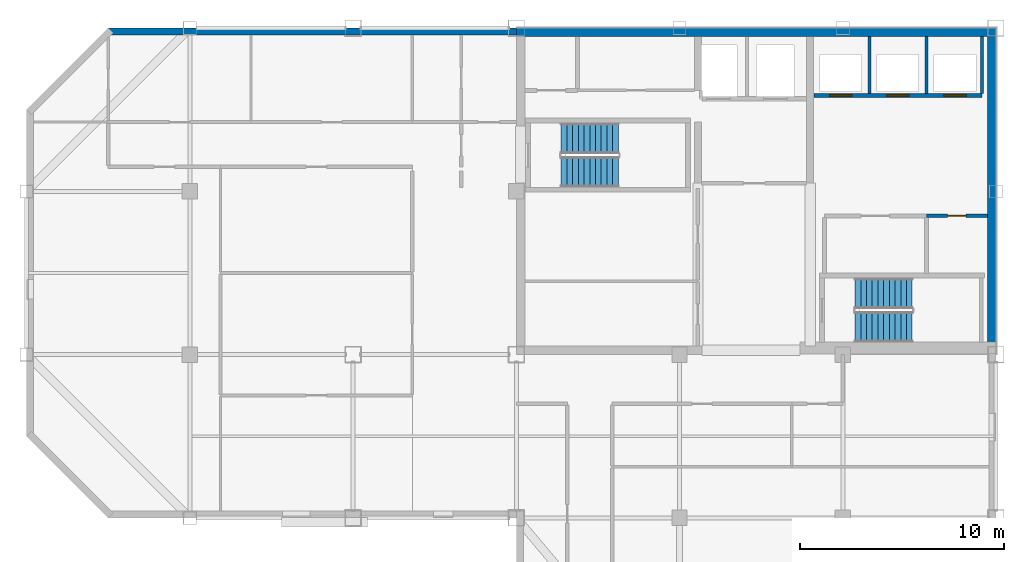
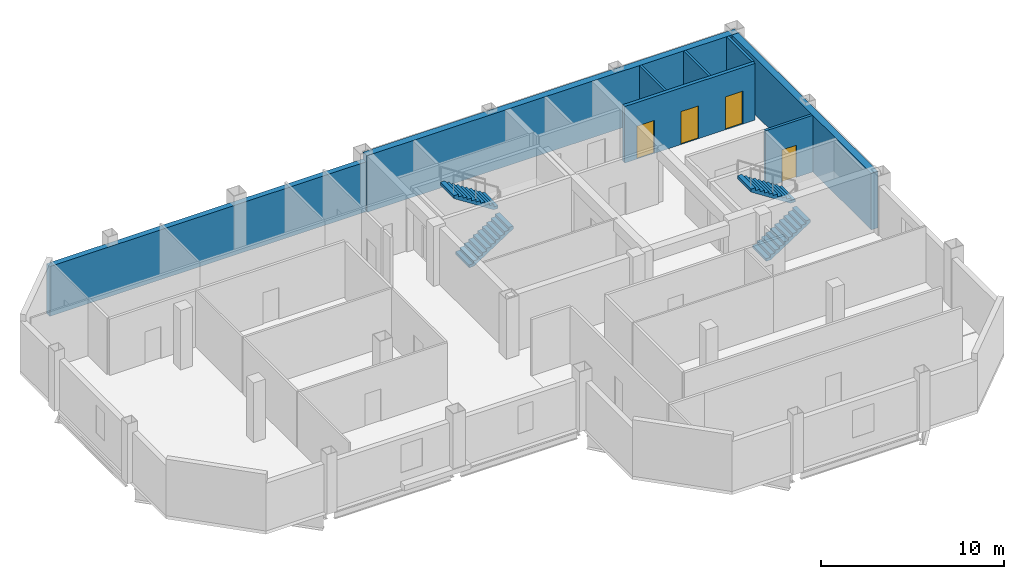
# One storey, part 4 of 7: 8 walls, 4 doors, 4 stair flights, 4 openings, 2 elements without a shape of their own.
"""IFC4 building model written with IfcOpenShell, lengths in metres."""

import ifcopenshell
import ifcopenshell.guid

model = None  # the IFC model being written
_history = None  # IfcOwnerHistory: only IFC2X3 demands one
_inside = {}  # id of a spatial element -> (the spatial element, [elements in it])
_under = {}  # id of a project, library or spatial element -> (it, [spatial elements below it])
_declared = {}  # id of a project -> (the project, [libraries it declares])
_typed = {}  # id of a type object -> (the type object, [elements of that type])
_made_of = {}  # id of a material, layer set ... -> (it, [elements and type objects made of it])


def new_model(schema):
    """Start an empty IFC model of exactly this schema.

    Asked for "IFC4X3", IfcOpenShell would pick the latest addendum, in which some entities
    have other attributes; the version numbers below select the first issue.
    IFC2X3 requires an IfcOwnerHistory on every rooted entity: one is made here for all.
    """
    global model, _history
    if schema == "IFC4X3":
        model = ifcopenshell.file(schema_version=(4, 3, 0, 0))
    else:
        model = ifcopenshell.file(schema=schema)
    _inside.clear()
    _under.clear()
    _declared.clear()
    _typed.clear()
    _made_of.clear()
    _history = None
    if model.schema == "IFC2X3":
        org = make("IfcOrganization", Name="unknown")
        user = make(
            "IfcPersonAndOrganization",
            ThePerson=make("IfcPerson", FamilyName="unknown"),
            TheOrganization=org,
        )
        app = make(
            "IfcApplication",
            ApplicationDeveloper=org,
            Version="unknown",
            ApplicationFullName="unknown",
            ApplicationIdentifier="unknown",
        )
        _history = make(
            "IfcOwnerHistory",
            OwningUser=user,
            OwningApplication=app,
            ChangeAction="ADDED",
            CreationDate=0,
        )
    return model


def make(cls, **values):
    """One entity of the class cls with the attributes given. An attribute that is None is left unset."""
    return model.create_entity(
        cls, **{name: value for name, value in values.items() if value is not None}
    )


def rooted(cls, **values):
    """An entity with a GlobalId (a new one), such as an element, a storey or a relation."""
    return make(cls, GlobalId=ifcopenshell.guid.new(), OwnerHistory=_history, **values)


def si_unit(unit_type, name, prefix=None):
    """IfcSIUnit, for example si_unit("LENGTHUNIT", "METRE", prefix="MILLI")."""
    return make("IfcSIUnit", UnitType=unit_type, Prefix=prefix, Name=name)


def assignment(units):
    """IfcUnitAssignment: the units of a project."""
    return None if units is None else make("IfcUnitAssignment", Units=units)


def point(xyz):
    """IfcCartesianPoint."""
    return None if xyz is None else make("IfcCartesianPoint", Coordinates=xyz)


def direction(xyz):
    """IfcDirection."""
    return None if xyz is None else make("IfcDirection", DirectionRatios=xyz)


def frame(location, z_axis=None, x_axis=None):
    """IfcAxis2Placement3D, a coordinate frame: its origin and axes. An axis left out is left unset."""
    return make(
        "IfcAxis2Placement3D",
        Location=point(location),
        Axis=direction(z_axis),
        RefDirection=direction(x_axis),
    )


def frame_2d(location, x_axis=None):
    """IfcAxis2Placement2D, a coordinate frame in the plane: its origin and x axis."""
    return make(
        "IfcAxis2Placement2D", Location=point(location), RefDirection=direction(x_axis)
    )


def origin():
    """The frame at (0, 0, 0) with its axes left unset."""
    return frame((0.0, 0.0, 0.0))


def place(relative_to, where):
    """IfcLocalPlacement: puts the frame where relative to a parent placement (None: the world)."""
    return make(
        "IfcLocalPlacement", PlacementRelTo=relative_to, RelativePlacement=where
    )


def context(
    kind, dimensions, precision=None, world=None, true_north=None, identifier=None
):
    """IfcGeometricRepresentationContext, for example the 3D "Model" context."""
    return make(
        "IfcGeometricRepresentationContext",
        ContextIdentifier=identifier,
        ContextType=kind,
        CoordinateSpaceDimension=dimensions,
        Precision=precision,
        WorldCoordinateSystem=world,
        TrueNorth=true_north,
    )


def subcontext(parent, identifier, kind, view, scale=None):
    """IfcGeometricRepresentationSubContext, for example "Body" below "Model"."""
    return make(
        "IfcGeometricRepresentationSubContext",
        ContextIdentifier=identifier,
        ContextType=kind,
        ParentContext=parent,
        TargetScale=scale,
        TargetView=view,
    )


def project(units=None, contexts=None):
    """IfcProject with its units and contexts."""
    return rooted(
        "IfcProject",
        Name="project",
        RepresentationContexts=contexts,
        UnitsInContext=assignment(units),
    )


def spatial(cls, under=None, at=None, **own):
    """A site, building, storey or space (cls), placed at a placement, below another one or the project."""
    s = rooted(cls, ObjectPlacement=at, **own)
    if under is not None:
        _under.setdefault(under.id(), (under, []))[1].append(s)
    return s


def polyline(points):
    """IfcPolyline through the points."""
    return make("IfcPolyline", Points=[point(p) for p in points])


def profile(cls, at=None, kind="AREA", **sizes):
    """A parametric profile (cls). Its sizes go by their IFC names, for example OverallWidth=200.0."""
    return make(cls, ProfileType=kind, Position=at, **sizes)


def rectangle(**sizes):
    """IfcRectangleProfileDef."""
    return profile("IfcRectangleProfileDef", **sizes)


def outline(outer, holes=None, kind="AREA"):
    """IfcArbitraryClosedProfileDef: a profile drawn as a closed curve; with holes, ...WithVoids."""
    if holes is None:
        return make("IfcArbitraryClosedProfileDef", ProfileType=kind, OuterCurve=outer)
    return make(
        "IfcArbitraryProfileDefWithVoids",
        ProfileType=kind,
        OuterCurve=outer,
        InnerCurves=holes,
    )


def extrude(swept, where, along, depth):
    """IfcExtrudedAreaSolid: the profile swept, set in the frame where, extruded along a direction by depth."""
    return make(
        "IfcExtrudedAreaSolid",
        SweptArea=swept,
        Position=where,
        ExtrudedDirection=direction(along),
        Depth=depth,
    )


def shape(context_of_items, identifier, shape_type, items):
    """IfcShapeRepresentation: the items that make up one representation, for example the "Body"."""
    return make(
        "IfcShapeRepresentation",
        ContextOfItems=context_of_items,
        RepresentationIdentifier=identifier,
        RepresentationType=shape_type,
        Items=items,
    )


def material(Name=None, Category=None):
    """IfcMaterial."""
    return make("IfcMaterial", Name=Name, Category=Category)


def layer(
    of_material, thickness, ventilated=None, Name=None, Category=None, Priority=None
):
    """IfcMaterialLayer: one layer of a wall or slab, of a material (None: an air gap)."""
    return make(
        "IfcMaterialLayer",
        Material=of_material,
        LayerThickness=thickness,
        IsVentilated=ventilated,
        Name=Name,
        Category=Category,
        Priority=Priority,
    )


def layer_set(layers, Name=None):
    """IfcMaterialLayerSet."""
    return make("IfcMaterialLayerSet", MaterialLayers=layers, LayerSetName=Name)


def made_of(thing, what):
    """Note that an element or type object is made of a material, layer set ...; save() writes the relation."""
    if what is not None:
        _made_of.setdefault(what.id(), (what, []))[1].append(thing)
    return thing


def type_object(cls, material=None, **own):
    """A type object (cls), such as IfcWallType, which elements share."""
    return made_of(rooted(cls, **own), material)


def element(
    cls,
    number,
    at=None,
    inside=None,
    cuts=None,
    type_object=None,
    material=None,
    context=None,
    identifier="Body",
    shape_type=None,
    held_by="IfcProductDefinitionShape",
    body=None,
    shapes=None,
    **own,
):
    """One element of the class cls, such as IfcWall. Its Tag is "e" and its number.

    at: its placement. inside: the storey or other place that contains it. cuts: it is an
    opening in that element (IfcRelVoidsElement). A single representation is given by context,
    identifier, shape_type and body (its items); several are given by shapes. held_by: the class
    of the entity that holds the representations. save() writes the other relations.
    """
    e = rooted(cls, Tag="e%d" % number, ObjectPlacement=at, **own)
    if body is not None:
        shapes = [shape(context, identifier, shape_type, body)]
    if shapes is not None:
        e.Representation = make(held_by, Representations=shapes)
    if inside is not None:
        _inside.setdefault(inside.id(), (inside, []))[1].append(e)
    if cuts is not None:
        rooted(
            "IfcRelVoidsElement", RelatingBuildingElement=cuts, RelatedOpeningElement=e
        )
    if type_object is not None:
        _typed.setdefault(type_object.id(), (type_object, []))[1].append(e)
    return made_of(e, material)


def fill(opening, filler):
    """IfcRelFillsElement: the door or window that sits in an opening."""
    return rooted(
        "IfcRelFillsElement",
        RelatingOpeningElement=opening,
        RelatedBuildingElement=filler,
    )


def aggregate(whole, parts):
    """IfcRelAggregates: a whole, such as a stair, and the parts it consists of."""
    return rooted("IfcRelAggregates", RelatingObject=whole, RelatedObjects=parts)


def save(model, path):
    """Write the relations noted so far, then the file.

    IfcRelAggregates (storeys below a building ...), IfcRelContainedInSpatialStructure (elements
    in a storey), IfcRelDefinesByType, IfcRelAssociatesMaterial and IfcRelDeclares: one each for
    every whole, place, type object, material and project.
    """
    for whole, parts in _under.values():
        aggregate(whole, parts)
    for where, things in _inside.values():
        rooted(
            "IfcRelContainedInSpatialStructure",
            RelatedElements=things,
            RelatingStructure=where,
        )
    for kind, things in _typed.values():
        rooted("IfcRelDefinesByType", RelatedObjects=things, RelatingType=kind)
    for what, things in _made_of.values():
        rooted("IfcRelAssociatesMaterial", RelatedObjects=things, RelatingMaterial=what)
    for by, libraries in _declared.values():
        rooted("IfcRelDeclares", RelatingContext=by, RelatedDefinitions=libraries)
    model.write(path)


model = new_model("IFC4")

# Units and contexts
model_context = context("Model", 3, precision=1e-05, world=origin(), true_north=direction((0.0, 1.0)))
body_context = subcontext(model_context, "Body", "Model", "MODEL_VIEW")
ifc_project = project(units=[si_unit("LENGTHUNIT", "METRE"), si_unit("AREAUNIT", "SQUARE_METRE"), si_unit("VOLUMEUNIT", "CUBIC_METRE"), si_unit("PLANEANGLEUNIT", "RADIAN"), si_unit("MASSUNIT", "GRAM", prefix="KILO")], contexts=[model_context])

# Site, building, storey
site_placement = place(None, origin())
site = spatial("IfcSite", under=ifc_project, at=site_placement, CompositionType="ELEMENT")
building_placement = place(site_placement, origin())
building = spatial("IfcBuilding", under=site, at=building_placement, Name="Qianrong Seaharbour Tower", CompositionType="ELEMENT")
storey_placement = place(building_placement, frame((0.0, 0.0, 343.199951171875)))
storey = spatial("IfcBuildingStorey", under=building, at=storey_placement, Name="L83", CompositionType="ELEMENT", Elevation=343.199951171875)

# Walls
ifc_material_1 = material(Name="Concrete C50/60", Category="concrete")
ifc_layer_1 = layer(ifc_material_1, 0.419921875)
ifc_layer_set_1 = layer_set([ifc_layer_1], Name="Concrete C50/60")
wall_type_1 = type_object("IfcWallType", Name="WALL-CORE-420", PredefinedType="SHEAR", material=ifc_layer_set_1)
wall_1_placement = place(storey_placement, frame((40.5, 51.7900390625, 0.0), z_axis=(0.0, 0.0, 1.0), x_axis=(1.0, 0.0, 0.0)))
element("IfcWall", 1, at=wall_1_placement, inside=storey, type_object=wall_type_1, Name="L83 North Core Shear Wall", PredefinedType="SHEAR", context=body_context, shape_type="SweptSolid", body=[
    extrude(rectangle(XDim=23.5, YDim=0.419921875, at=frame_2d((11.75, 0.0))), origin(), (0.0, 0.0, 1.0), 3.78515625),
])
wall_2_placement = place(storey_placement, frame((63.7900390625, 36.320068359375, 0.0), z_axis=(0.0, 0.0, 1.0), x_axis=(0.0, 1.0, 0.0)))
element("IfcWall", 2, at=wall_2_placement, inside=storey, type_object=wall_type_1, Name="L83 East Core Shear Wall", PredefinedType="SHEAR", context=body_context, shape_type="SweptSolid", body=[
    extrude(rectangle(XDim=15.260009765625, YDim=0.419921875, at=frame_2d((7.6298828125, 0.0))), origin(), (0.0, 0.0, 1.0), 3.78515625),
])

# Wall, opening, door
ifc_material_2 = material(Name="Fire-rated acoustic gypsum board partition")
ifc_layer_2 = layer(ifc_material_2, 0.1650390625)
ifc_layer_set_2 = layer_set([ifc_layer_2], Name="Fire-rated acoustic gypsum board partition")
wall_type_2 = type_object("IfcWallType", Name="WALL-CORR-PART-165", PredefinedType="PARTITIONING", material=ifc_layer_set_2)
wall_3_placement = place(storey_placement, frame((63.580078125, 42.800048828125, 0.0), z_axis=(0.0, 0.0, 1.0), x_axis=(-1.0, 0.0, 0.0)))
wall_3 = element("IfcWall", 3, at=wall_3_placement, inside=storey, type_object=wall_type_2, Name="L83 Interior Partition Wall 015", PredefinedType="PARTITIONING", context=body_context, shape_type="SweptSolid", body=[
    extrude(rectangle(XDim=2.97998046875, YDim=0.1650390625, at=frame_2d((1.489990234375, 0.0))), origin(), (0.0, 0.0, 1.0), 3.78515625),
])
opening_1_placement = place(wall_3_placement, frame((1.0400390625, 0.0, 0.0)))
opening_1 = element("IfcOpeningElement", 4, at=opening_1_placement, cuts=wall_3, Name="Opening DS-01", PredefinedType="OPENING", context=body_context, shape_type="SweptSolid", body=[
    extrude(rectangle(XDim=0.89990234375, YDim=2.14990234375, at=frame_2d((0.449951171875, 1.074951171875))), frame((0.0, 0.092529296875, 0.0), z_axis=(0.0, -1.0, 0.0), x_axis=(1.0, 0.0, 0.0)), (0.0, 0.0, 1.0), 0.18505859375),
])
ifc_material_3 = material(Name="Acoustic timber and galvanized steel fire door assembly", Category="steel")
door_type_1 = type_object("IfcDoorType", Name="DOOR-STORE-900x2150", OperationType="NOTDEFINED", PredefinedType="DOOR", material=ifc_material_3)
door_1_placement = place(opening_1_placement, origin())
door_1 = element("IfcDoor", 5, at=door_1_placement, inside=storey, type_object=door_type_1, Name="L83 Housekeeping Linen Store Door", OperationType="SINGLE_SWING_RIGHT", OverallHeight=2.14990234375, OverallWidth=0.89990234375, PredefinedType="DOOR", context=body_context, shape_type="SweptSolid", body=[
    extrude(rectangle(XDim=0.89990234375, YDim=2.14990234375, at=frame_2d((0.449951171875, 1.074951171875))), frame((0.0, 0.02490234375, 0.0), z_axis=(0.0, -1.0, 0.0), x_axis=(1.0, 0.0, 0.0)), (0.0, 0.0, 1.0), 0.050048828125),
])
fill(opening_1, door_1)

# Walls
ifc_material_4 = material(Name="Unitised buff brick on Precast concrete C45/55", Category="masonry")
ifc_layer_3 = layer(ifc_material_4, 0.340087890625)
ifc_layer_set_3 = layer_set([ifc_layer_3], Name="Unitised buff brick on Precast concrete C45/55")
wall_type_3 = type_object("IfcWallType", Name="WALL-EXT-BRICK-BUFF-340", PredefinedType="SOLIDWALL", material=ifc_layer_set_3)
wall_4_placement = place(storey_placement, frame((20.5, 51.830078125, 0.0), z_axis=(0.0, 0.0, 1.0), x_axis=(1.0, 0.0, 0.0)))
element("IfcWall", 6, at=wall_4_placement, inside=storey, type_object=wall_type_3, Name="L83 Exterior Masonry Facade Wall NORTH_WING", PredefinedType="SOLIDWALL", context=body_context, shape_type="SweptSolid", body=[
    extrude(rectangle(XDim=20.02001953125, YDim=0.340087890625, at=frame_2d((10.010009765625, 0.0))), origin(), (0.0, 0.0, 1.0), 3.3349609375),
])
ifc_material_5 = material(Name="Fire-rated gypsum board on steel studs", Category="steel")
ifc_layer_4 = layer(ifc_material_5, 0.14990234375)
ifc_layer_set_4 = layer_set([ifc_layer_4], Name="Fire-rated gypsum board on steel studs")
wall_type_4 = type_object("IfcWallType", Name="WALL-SHAFT-DIV-150", PredefinedType="PARTITIONING", material=ifc_layer_set_4)
for number, where, z_axis, x_axis, name in (
    (7, (57.800048828125, 48.81005859375, 0.0), (0.0, 0.0, 1.0), (0.0, 1.0, 0.0), "L83 P4 Lift Hoistway Divider 2"),
    (8, (60.60009765625, 48.81005859375, 0.0), (0.0, 0.0, 1.0), (0.0, 1.0, 0.0), "L83 P4 Lift Hoistway Divider 3"),
    (9, (63.320068359375, 48.81005859375, 0.0), (0.0, 0.0, 1.0), (0.0, 1.0, 0.0), "L83 P4 Lift Hoistway Divider 4"),
):
    element("IfcWall", number, at=place(storey_placement, frame(where, z_axis=z_axis, x_axis=x_axis)), inside=storey, type_object=wall_type_4, Name=name, PredefinedType="PARTITIONING", context=body_context, shape_type="SweptSolid", body=[
        extrude(rectangle(XDim=2.77001953125, YDim=0.14990234375, at=frame_2d((1.385009765625, 0.0))), origin(), (0.0, 0.0, 1.0), 3.78515625),
    ])

# Wall, openings, doors
ifc_layer_5 = layer(ifc_material_5, 0.219970703125)
ifc_layer_set_5 = layer_set([ifc_layer_5], Name="Fire-rated gypsum board on steel studs")
wall_type_5 = type_object("IfcWallType", Name="WALL-SHAFT-GYP220", PredefinedType="PARTITIONING", material=ifc_layer_set_5)
wall_5_placement = place(storey_placement, frame((63.320068359375, 48.699951171875, 0.0), z_axis=(0.0, 0.0, 1.0), x_axis=(-1.0, 0.0, 0.0)))
wall_5 = element("IfcWall", 10, at=wall_5_placement, inside=storey, type_object=wall_type_5, Name="L83 P4 Lift Hoistway Front Wall", PredefinedType="PARTITIONING", context=body_context, shape_type="SweptSolid", body=[
    extrude(rectangle(XDim=8.239990234375, YDim=0.219970703125, at=frame_2d((4.1201171875, 0.0))), origin(), (0.0, 0.0, 1.0), 3.78515625),
])
opening_2_placement = place(wall_5_placement, frame((6.3701171875, 0.0, 0.0)))
opening_2 = element("IfcOpeningElement", 11, at=opening_2_placement, cuts=wall_5, Name="Opening LD-02", PredefinedType="OPENING", context=body_context, shape_type="SweptSolid", body=[
    extrude(rectangle(XDim=1.10009765625, YDim=2.199951171875, at=frame_2d((0.550048828125, 1.10009765625))), frame((0.0, 0.1201171875, 0.0), z_axis=(0.0, -1.0, 0.0), x_axis=(1.0, 0.0, 0.0)), (0.0, 0.0, 1.0), 0.239990234375),
])
opening_3_placement = place(wall_5_placement, frame((3.570068359375, 0.0, 0.0)))
opening_3 = element("IfcOpeningElement", 12, at=opening_3_placement, cuts=wall_5, Name="Opening LD-02", PredefinedType="OPENING", context=body_context, shape_type="SweptSolid", body=[
    extrude(rectangle(XDim=1.10009765625, YDim=2.199951171875, at=frame_2d((0.550048828125, 1.10009765625))), frame((0.0, 0.1201171875, 0.0), z_axis=(0.0, -1.0, 0.0), x_axis=(1.0, 0.0, 0.0)), (0.0, 0.0, 1.0), 0.239990234375),
])
opening_4_placement = place(wall_5_placement, frame((0.77001953125, 0.0, 0.0)))
opening_4 = element("IfcOpeningElement", 13, at=opening_4_placement, cuts=wall_5, Name="Opening LD-02", PredefinedType="OPENING", context=body_context, shape_type="SweptSolid", body=[
    extrude(rectangle(XDim=1.10009765625, YDim=2.199951171875, at=frame_2d((0.550048828125, 1.10009765625))), frame((0.0, 0.1201171875, 0.0), z_axis=(0.0, -1.0, 0.0), x_axis=(1.0, 0.0, 0.0)), (0.0, 0.0, 1.0), 0.239990234375),
])
ifc_material_6 = material(Name="Stainless steel SUS316L bi-parting lift landing door", Category="steel")
door_type_2 = type_object("IfcDoorType", Name="DOOR-LIFT-PASS-1100x2200", OperationType="DOUBLE_DOOR_SLIDING", PredefinedType="DOOR", material=ifc_material_6)
door_2_placement = place(opening_2_placement, origin())
door_2 = element("IfcDoor", 14, at=door_2_placement, inside=storey, type_object=door_type_2, Name="L83 PL-4A Lift Landing Door", OperationType="DOUBLE_DOOR_SLIDING", OverallHeight=2.199951171875, OverallWidth=1.10009765625, PredefinedType="DOOR", context=body_context, shape_type="SweptSolid", body=[
    extrude(rectangle(XDim=1.10009765625, YDim=2.199951171875, at=frame_2d((0.550048828125, 1.10009765625))), frame((0.0, 0.02490234375, 0.0), z_axis=(0.0, -1.0, 0.0), x_axis=(1.0, 0.0, 0.0)), (0.0, 0.0, 1.0), 0.050048828125),
])
fill(opening_2, door_2)
door_3_placement = place(opening_3_placement, origin())
door_3 = element("IfcDoor", 15, at=door_3_placement, inside=storey, type_object=door_type_2, Name="L83 PL-4B Lift Landing Door", OperationType="DOUBLE_DOOR_SLIDING", OverallHeight=2.199951171875, OverallWidth=1.10009765625, PredefinedType="DOOR", context=body_context, shape_type="SweptSolid", body=[
    extrude(rectangle(XDim=1.10009765625, YDim=2.199951171875, at=frame_2d((0.550048828125, 1.10009765625))), frame((0.0, 0.02490234375, 0.0), z_axis=(0.0, -1.0, 0.0), x_axis=(1.0, 0.0, 0.0)), (0.0, 0.0, 1.0), 0.050048828125),
])
fill(opening_3, door_3)
door_4_placement = place(opening_4_placement, origin())
door_4 = element("IfcDoor", 16, at=door_4_placement, inside=storey, type_object=door_type_2, Name="L83 PL-4C Lift Landing Door", OperationType="DOUBLE_DOOR_SLIDING", OverallHeight=2.199951171875, OverallWidth=1.10009765625, PredefinedType="DOOR", context=body_context, shape_type="SweptSolid", body=[
    extrude(rectangle(XDim=1.10009765625, YDim=2.199951171875, at=frame_2d((0.550048828125, 1.10009765625))), frame((0.0, 0.02490234375, 0.0), z_axis=(0.0, -1.0, 0.0), x_axis=(1.0, 0.0, 0.0)), (0.0, 0.0, 1.0), 0.050048828125),
])
fill(opening_4, door_4)

# Stair, stair flights
stair_type = type_object("IfcStairType", Name="STAIR-DOGLEG-1500-R22", PredefinedType="HALF_TURN_STAIR", material=ifc_material_1)
stair_1_placement = place(storey_placement, origin())
stair_1 = element("IfcStair", 17, at=stair_1_placement, inside=storey, type_object=stair_type, Name="L83 Protected Escape Stair ST-1", PredefinedType="HALF_TURN_STAIR")
stair_flight_type = type_object("IfcStairFlightType", Name="FLIGHT-STR-1500-R22", PredefinedType="STRAIGHT", material=ifc_material_1)
stair_flight_1_placement = place(storey_placement, frame((42.699951171875, 44.949951171875, 0.0), z_axis=(0.0, 0.0, 1.0), x_axis=(1.0, 0.0, 0.0)))
stair_flight_1 = element("IfcStairFlight", 18, at=stair_flight_1_placement, type_object=stair_flight_type, Name="ST-1 flight 1", NumberOfRisers=11, NumberOfTreads=10, PredefinedType="STRAIGHT", RiserHeight=0.181818182, TreadLength=0.28, context=body_context, shape_type="SweptSolid", body=[
    extrude(outline(polyline([(0.0, 0.0), (0.0, 0.181884765625), (0.280029296875, 0.181884765625), (0.280029296875, 0.363525390625), (0.56005859375, 0.363525390625), (0.56005859375, 0.54541015625), (0.840087890625, 0.54541015625), (0.840087890625, 0.727294921875), (1.1201171875, 0.727294921875), (1.1201171875, 0.9091796875), (1.39990234375, 0.9091796875), (1.39990234375, 1.0908203125), (1.679931640625, 1.0908203125), (1.679931640625, 1.272705078125), (1.9599609375, 1.272705078125), (1.9599609375, 1.45458984375), (2.239990234375, 1.45458984375), (2.239990234375, 1.636474609375), (2.52001953125, 1.636474609375), (2.52001953125, 1.818115234375), (2.800048828125, 1.818115234375), (2.800048828125, 2.0), (2.800048828125, 1.62744140625), (0.293701171875, 0.0), (0.0, 0.0)])), frame((0.0, 0.75, 0.0), z_axis=(0.0, -1.0, 0.0), x_axis=(1.0, 0.0, 0.0)), (0.0, 0.0, 1.0), 1.5),
])
stair_flight_2_placement = place(storey_placement, frame((45.5, 46.60009765625, 2.0), z_axis=(0.0, 0.0, 1.0), x_axis=(-1.0, 0.0, 0.0)))
stair_flight_2 = element("IfcStairFlight", 19, at=stair_flight_2_placement, type_object=stair_flight_type, Name="ST-1 flight 2", NumberOfRisers=11, NumberOfTreads=10, PredefinedType="STRAIGHT", RiserHeight=0.181818182, TreadLength=0.28, context=body_context, shape_type="SweptSolid", body=[
    extrude(outline(polyline([(0.0, 0.0), (0.0, 0.181884765625), (0.280029296875, 0.181884765625), (0.280029296875, 0.363525390625), (0.56005859375, 0.363525390625), (0.56005859375, 0.54541015625), (0.840087890625, 0.54541015625), (0.840087890625, 0.727294921875), (1.1201171875, 0.727294921875), (1.1201171875, 0.9091796875), (1.39990234375, 0.9091796875), (1.39990234375, 1.0908203125), (1.679931640625, 1.0908203125), (1.679931640625, 1.272705078125), (1.9599609375, 1.272705078125), (1.9599609375, 1.45458984375), (2.239990234375, 1.45458984375), (2.239990234375, 1.636474609375), (2.52001953125, 1.636474609375), (2.52001953125, 1.818115234375), (2.800048828125, 1.818115234375), (2.800048828125, 2.0), (2.800048828125, 1.62744140625), (0.293701171875, 0.0), (0.0, 0.0)])), frame((0.0, 0.75, 0.0), z_axis=(0.0, -1.0, 0.0), x_axis=(1.0, 0.0, 0.0)), (0.0, 0.0, 1.0), 1.5),
])
aggregate(stair_1, [stair_flight_1, stair_flight_2])

stair_2_placement = place(storey_placement, origin())
stair_2 = element("IfcStair", 20, at=stair_2_placement, inside=storey, type_object=stair_type, Name="L83 Protected Escape Stair ST-2", PredefinedType="HALF_TURN_STAIR")
stair_flight_3_placement = place(storey_placement, frame((57.10009765625, 37.35009765625, 0.0), z_axis=(0.0, 0.0, 1.0), x_axis=(1.0, 0.0, 0.0)))
stair_flight_3 = element("IfcStairFlight", 21, at=stair_flight_3_placement, type_object=stair_flight_type, Name="ST-2 flight 1", NumberOfRisers=11, NumberOfTreads=10, PredefinedType="STRAIGHT", RiserHeight=0.181818182, TreadLength=0.28, context=body_context, shape_type="SweptSolid", body=[
    extrude(outline(polyline([(0.0, 0.0), (0.0, 0.181884765625), (0.280029296875, 0.181884765625), (0.280029296875, 0.363525390625), (0.56005859375, 0.363525390625), (0.56005859375, 0.54541015625), (0.840087890625, 0.54541015625), (0.840087890625, 0.727294921875), (1.1201171875, 0.727294921875), (1.1201171875, 0.9091796875), (1.39990234375, 0.9091796875), (1.39990234375, 1.0908203125), (1.679931640625, 1.0908203125), (1.679931640625, 1.272705078125), (1.9599609375, 1.272705078125), (1.9599609375, 1.45458984375), (2.239990234375, 1.45458984375), (2.239990234375, 1.636474609375), (2.52001953125, 1.636474609375), (2.52001953125, 1.818115234375), (2.800048828125, 1.818115234375), (2.800048828125, 2.0), (2.800048828125, 1.62744140625), (0.293701171875, 0.0), (0.0, 0.0)])), frame((0.0, 0.75, 0.0), z_axis=(0.0, -1.0, 0.0), x_axis=(1.0, 0.0, 0.0)), (0.0, 0.0, 1.0), 1.5),
])
stair_flight_4_placement = place(storey_placement, frame((59.89990234375, 39.0, 2.0), z_axis=(0.0, 0.0, 1.0), x_axis=(-1.0, 0.0, 0.0)))
stair_flight_4 = element("IfcStairFlight", 22, at=stair_flight_4_placement, type_object=stair_flight_type, Name="ST-2 flight 2", NumberOfRisers=11, NumberOfTreads=10, PredefinedType="STRAIGHT", RiserHeight=0.181818182, TreadLength=0.28, context=body_context, shape_type="SweptSolid", body=[
    extrude(outline(polyline([(0.0, 0.0), (0.0, 0.181884765625), (0.280029296875, 0.181884765625), (0.280029296875, 0.363525390625), (0.56005859375, 0.363525390625), (0.56005859375, 0.54541015625), (0.840087890625, 0.54541015625), (0.840087890625, 0.727294921875), (1.1201171875, 0.727294921875), (1.1201171875, 0.9091796875), (1.39990234375, 0.9091796875), (1.39990234375, 1.0908203125), (1.679931640625, 1.0908203125), (1.679931640625, 1.272705078125), (1.9599609375, 1.272705078125), (1.9599609375, 1.45458984375), (2.239990234375, 1.45458984375), (2.239990234375, 1.636474609375), (2.52001953125, 1.636474609375), (2.52001953125, 1.818115234375), (2.800048828125, 1.818115234375), (2.800048828125, 2.0), (2.800048828125, 1.62744140625), (0.293701171875, 0.0), (0.0, 0.0)])), frame((0.0, 0.75, 0.0), z_axis=(0.0, -1.0, 0.0), x_axis=(1.0, 0.0, 0.0)), (0.0, 0.0, 1.0), 1.5),
])
aggregate(stair_2, [stair_flight_3, stair_flight_4])

save(model, "model.ifc")
